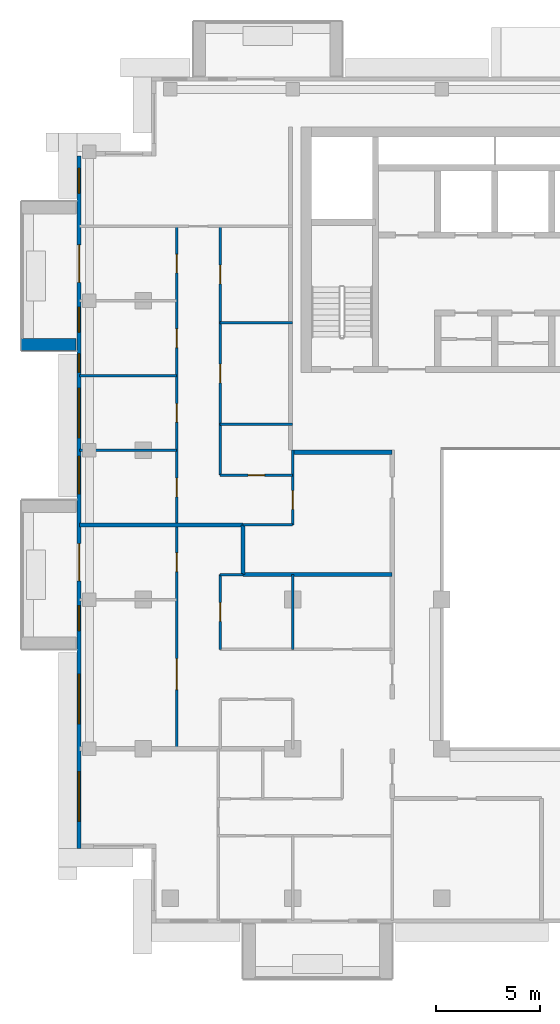
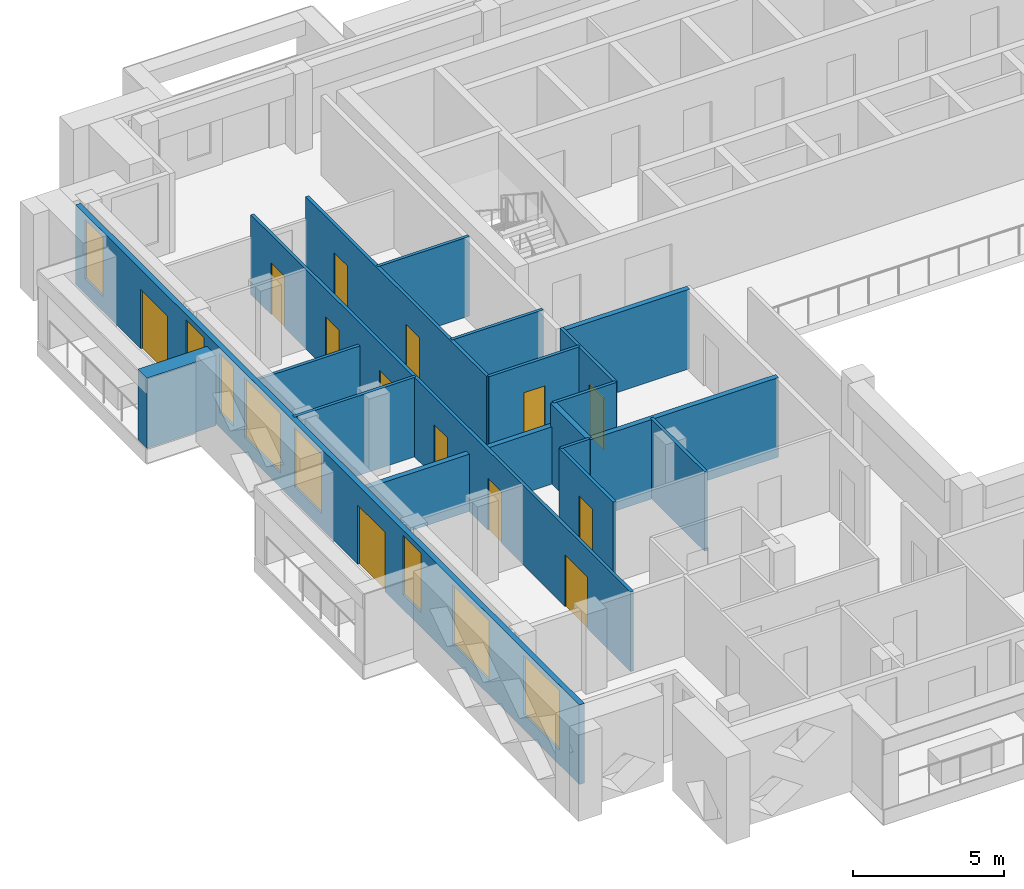
# One storey, part 7 of 19: 18 walls, 13 doors, 8 windows, 21 openings.
"""IFC4 building model written with IfcOpenShell, lengths in metres."""

from ifc_helpers import new_model, si_unit, direction, frame, frame_2d, origin, place, context, subcontext, project, spatial, rectangle, extrude, material, layer, layer_set, type_object, element, fill, save


model = new_model("IFC4")

# Units and contexts
model_context = context("Model", 3, precision=1e-05, world=origin(), true_north=direction((0.0, 1.0)))
body_context = subcontext(model_context, "Body", "Model", "MODEL_VIEW")
ifc_project = project(units=[si_unit("LENGTHUNIT", "METRE"), si_unit("AREAUNIT", "SQUARE_METRE"), si_unit("VOLUMEUNIT", "CUBIC_METRE"), si_unit("PLANEANGLEUNIT", "RADIAN"), si_unit("MASSUNIT", "GRAM", prefix="KILO")], contexts=[model_context])

# Site, building, storey
site_placement = place(None, origin())
site = spatial("IfcSite", under=ifc_project, at=site_placement, CompositionType="ELEMENT")
building_placement = place(site_placement, origin())
building = spatial("IfcBuilding", under=site, at=building_placement, Name="Saffron Iwan Residences", CompositionType="ELEMENT")
storey_placement = place(building_placement, frame((0.0, 0.0, 239.5)))
storey = spatial("IfcBuildingStorey", under=building, at=storey_placement, Name="L64", CompositionType="ELEMENT", Elevation=239.5)

# Wall
ifc_material_1 = material(Name="Concrete C50/60 white painted", Category="concrete")
ifc_layer_1 = layer(ifc_material_1, 0.60009765625)
ifc_layer_set_1 = layer_set([ifc_layer_1], Name="Concrete C50/60 white painted")
wall_type_1 = type_object("IfcWallType", Name="BALCONY FIN 600", PredefinedType="SOLIDWALL", material=ifc_layer_set_1)
wall_1_placement = place(storey_placement, frame((18.35009765625, 67.5, 0.0), z_axis=(0.0, 0.0, 1.0), x_axis=(-1.0, 0.0, 0.0)))
element("IfcWall", 1, at=wall_1_placement, inside=storey, type_object=wall_type_1, Name="Balcony fin L64 F8-0b", PredefinedType="SOLIDWALL", context=body_context, shape_type="SweptSolid", body=[
    extrude(rectangle(XDim=2.650146484375, YDim=0.60009765625, at=frame_2d((1.3251953125, 0.0))), origin(), (0.0, 0.0, 1.0), 2.85009765625),
])

# Wall, openings, doors, windows
ifc_material_2 = material(Name="Concrete C40/50", Category="concrete")
ifc_layer_2 = layer(ifc_material_2, 0.199951171875)
ifc_layer_set_2 = layer_set([ifc_layer_2], Name="Concrete C40/50")
wall_type_2 = type_object("IfcWallType", Name="EXTERNAL WALL 200", PredefinedType="SOLIDWALL", material=ifc_layer_set_2)
wall_2_placement = place(storey_placement, frame((18.5, 76.60009765625, 0.0), z_axis=(0.0, 0.0, 1.0), x_axis=(0.0, -1.0, 0.0)))
wall_2 = element("IfcWall", 2, at=wall_2_placement, inside=storey, type_object=wall_type_2, Name="External wall L64 F8.0", PredefinedType="SOLIDWALL", context=body_context, shape_type="SweptSolid", body=[
    extrude(rectangle(XDim=33.400146484375, YDim=0.199951171875, at=frame_2d((16.7001953125, 0.0))), origin(), (0.0, 0.0, 1.0), 3.219970703125),
])
opening_1_placement = place(wall_2_placement, frame((4.300048828125, 0.0, 0.0)))
opening_1 = element("IfcOpeningElement", 3, at=opening_1_placement, cuts=wall_2, Name="Opening BD1", PredefinedType="OPENING", context=body_context, shape_type="SweptSolid", body=[
    extrude(rectangle(XDim=1.800048828125, YDim=2.39990234375, at=frame_2d((0.89990234375, 1.199951171875))), frame((0.0, 0.10986328125, 0.0), z_axis=(0.0, -1.0, 0.0), x_axis=(1.0, 0.0, 0.0)), (0.0, 0.0, 1.0), 0.219970703125),
])
opening_2_placement = place(wall_2_placement, frame((18.699951171875, 0.0, 0.0)))
opening_2 = element("IfcOpeningElement", 4, at=opening_2_placement, cuts=wall_2, Name="Opening BD1", PredefinedType="OPENING", context=body_context, shape_type="SweptSolid", body=[
    extrude(rectangle(XDim=1.800048828125, YDim=2.39990234375, at=frame_2d((0.89990234375, 1.199951171875))), frame((0.0, 0.10986328125, 0.0), z_axis=(0.0, -1.0, 0.0), x_axis=(1.0, 0.0, 0.0)), (0.0, 0.0, 1.0), 0.219970703125),
])
opening_3_placement = place(wall_2_placement, frame((29.699951171875, 0.0, 0.60009765625)))
opening_3 = element("IfcOpeningElement", 5, at=opening_3_placement, cuts=wall_2, Name="Opening W1", PredefinedType="OPENING", context=body_context, shape_type="SweptSolid", body=[
    extrude(rectangle(XDim=2.39990234375, YDim=2.39990234375, at=frame_2d((1.199951171875, 1.199951171875))), frame((0.0, 0.10986328125, 0.0), z_axis=(0.0, -1.0, 0.0), x_axis=(1.0, 0.0, 0.0)), (0.0, 0.0, 1.0), 0.219970703125),
])
opening_4_placement = place(wall_2_placement, frame((21.699951171875, 0.0, 0.60009765625)))
opening_4 = element("IfcOpeningElement", 6, at=opening_4_placement, cuts=wall_2, Name="Opening W3", PredefinedType="OPENING", context=body_context, shape_type="SweptSolid", body=[
    extrude(rectangle(XDim=1.199951171875, YDim=2.39990234375, at=frame_2d((0.60009765625, 1.199951171875))), frame((0.0, 0.10986328125, 0.0), z_axis=(0.0, -1.0, 0.0), x_axis=(1.0, 0.0, 0.0)), (0.0, 0.0, 1.0), 0.219970703125),
])
opening_5_placement = place(wall_2_placement, frame((25.0, 0.0, 0.60009765625)))
opening_5 = element("IfcOpeningElement", 7, at=opening_5_placement, cuts=wall_2, Name="Opening W1", PredefinedType="OPENING", context=body_context, shape_type="SweptSolid", body=[
    extrude(rectangle(XDim=2.39990234375, YDim=2.39990234375, at=frame_2d((1.199951171875, 1.199951171875))), frame((0.0, 0.10986328125, 0.0), z_axis=(0.0, -1.0, 0.0), x_axis=(1.0, 0.0, 0.0)), (0.0, 0.0, 1.0), 0.219970703125),
])
opening_6_placement = place(wall_2_placement, frame((14.5, 0.0, 0.60009765625)))
opening_6 = element("IfcOpeningElement", 8, at=opening_6_placement, cuts=wall_2, Name="Opening W8", PredefinedType="OPENING", context=body_context, shape_type="SweptSolid", body=[
    extrude(rectangle(XDim=1.800048828125, YDim=2.39990234375, at=frame_2d((0.89990234375, 1.199951171875))), frame((0.0, 0.10986328125, 0.0), z_axis=(0.0, -1.0, 0.0), x_axis=(1.0, 0.0, 0.0)), (0.0, 0.0, 1.0), 0.219970703125),
])
opening_7_placement = place(wall_2_placement, frame((11.199951171875, 0.0, 0.60009765625)))
opening_7 = element("IfcOpeningElement", 9, at=opening_7_placement, cuts=wall_2, Name="Opening W1", PredefinedType="OPENING", context=body_context, shape_type="SweptSolid", body=[
    extrude(rectangle(XDim=2.39990234375, YDim=2.39990234375, at=frame_2d((1.199951171875, 1.199951171875))), frame((0.0, 0.10986328125, 0.0), z_axis=(0.0, -1.0, 0.0), x_axis=(1.0, 0.0, 0.0)), (0.0, 0.0, 1.0), 0.219970703125),
])
opening_8_placement = place(wall_2_placement, frame((7.300048828125, 0.0, 0.60009765625)))
opening_8 = element("IfcOpeningElement", 10, at=opening_8_placement, cuts=wall_2, Name="Opening W3", PredefinedType="OPENING", context=body_context, shape_type="SweptSolid", body=[
    extrude(rectangle(XDim=1.199951171875, YDim=2.39990234375, at=frame_2d((0.60009765625, 1.199951171875))), frame((0.0, 0.10986328125, 0.0), z_axis=(0.0, -1.0, 0.0), x_axis=(1.0, 0.0, 0.0)), (0.0, 0.0, 1.0), 0.219970703125),
])
opening_9_placement = place(wall_2_placement, frame((9.550048828125, 0.0, 0.60009765625)))
opening_9 = element("IfcOpeningElement", 11, at=opening_9_placement, cuts=wall_2, Name="Opening W10", PredefinedType="OPENING", context=body_context, shape_type="SweptSolid", body=[
    extrude(rectangle(XDim=0.89990234375, YDim=2.39990234375, at=frame_2d((0.449951171875, 1.199951171875))), frame((0.0, 0.10986328125, 0.0), z_axis=(0.0, -1.0, 0.0), x_axis=(1.0, 0.0, 0.0)), (0.0, 0.0, 1.0), 0.219970703125),
])
opening_10_placement = place(wall_2_placement, frame((0.60009765625, 0.0, 0.60009765625)))
opening_10 = element("IfcOpeningElement", 12, at=opening_10_placement, cuts=wall_2, Name="Opening W3", PredefinedType="OPENING", context=body_context, shape_type="SweptSolid", body=[
    extrude(rectangle(XDim=1.199951171875, YDim=2.39990234375, at=frame_2d((0.60009765625, 1.199951171875))), frame((0.0, 0.10986328125, 0.0), z_axis=(0.0, -1.0, 0.0), x_axis=(1.0, 0.0, 0.0)), (0.0, 0.0, 1.0), 0.219970703125),
])
ifc_material_3 = material(Name="Clear glass, laminated double glazed", Category="glass")
door_type_1 = type_object("IfcDoorType", Name="BALCONY DOOR 1800 x 2400", OperationType="DOUBLE_DOOR_SLIDING", PredefinedType="DOOR", material=ifc_material_3)
door_1_placement = place(opening_1_placement, origin())
door_1 = element("IfcDoor", 13, at=door_1_placement, inside=storey, type_object=door_type_1, Name="Balcony door L64 F8.0", OperationType="DOUBLE_DOOR_SLIDING", OverallHeight=2.39990234375, OverallWidth=1.800048828125, PredefinedType="DOOR", context=body_context, shape_type="SweptSolid", body=[
    extrude(rectangle(XDim=1.800048828125, YDim=2.39990234375, at=frame_2d((0.89990234375, 1.199951171875))), frame((0.0, 0.02490234375, 0.0), z_axis=(0.0, -1.0, 0.0), x_axis=(1.0, 0.0, 0.0)), (0.0, 0.0, 1.0), 0.050048828125),
])
fill(opening_1, door_1)
door_2_placement = place(opening_2_placement, origin())
door_2 = element("IfcDoor", 14, at=door_2_placement, inside=storey, type_object=door_type_1, Name="Balcony door L64 F8.1", OperationType="DOUBLE_DOOR_SLIDING", OverallHeight=2.39990234375, OverallWidth=1.800048828125, PredefinedType="DOOR", context=body_context, shape_type="SweptSolid", body=[
    extrude(rectangle(XDim=1.800048828125, YDim=2.39990234375, at=frame_2d((0.89990234375, 1.199951171875))), frame((0.0, 0.02490234375, 0.0), z_axis=(0.0, -1.0, 0.0), x_axis=(1.0, 0.0, 0.0)), (0.0, 0.0, 1.0), 0.050048828125),
])
fill(opening_2, door_2)
window_type_1 = type_object("IfcWindowType", Name="WINDOW 1200 x 2400", PartitioningType="SINGLE_PANEL", PredefinedType="WINDOW", material=ifc_material_3)
window_1_placement = place(opening_4_placement, origin())
window_1 = element("IfcWindow", 15, at=window_1_placement, inside=storey, type_object=window_type_1, Name="Window L64 F8.3", OverallHeight=2.39990234375, OverallWidth=1.199951171875, PartitioningType="SINGLE_PANEL", PredefinedType="WINDOW", context=body_context, shape_type="SweptSolid", body=[
    extrude(rectangle(XDim=1.199951171875, YDim=2.39990234375, at=frame_2d((0.60009765625, 1.199951171875))), frame((0.0, 0.030029296875, 0.0), z_axis=(0.0, -1.0, 0.0), x_axis=(1.0, 0.0, 0.0)), (0.0, 0.0, 1.0), 0.06005859375),
])
fill(opening_4, window_1)
window_2_placement = place(opening_8_placement, origin())
window_2 = element("IfcWindow", 16, at=window_2_placement, inside=storey, type_object=window_type_1, Name="Window L64 F8.7", OverallHeight=2.39990234375, OverallWidth=1.199951171875, PartitioningType="SINGLE_PANEL", PredefinedType="WINDOW", context=body_context, shape_type="SweptSolid", body=[
    extrude(rectangle(XDim=1.199951171875, YDim=2.39990234375, at=frame_2d((0.60009765625, 1.199951171875))), frame((0.0, 0.030029296875, 0.0), z_axis=(0.0, -1.0, 0.0), x_axis=(1.0, 0.0, 0.0)), (0.0, 0.0, 1.0), 0.06005859375),
])
fill(opening_8, window_2)
window_3_placement = place(opening_10_placement, origin())
window_3 = element("IfcWindow", 17, at=window_3_placement, inside=storey, type_object=window_type_1, Name="Window L64 F8.9", OverallHeight=2.39990234375, OverallWidth=1.199951171875, PartitioningType="SINGLE_PANEL", PredefinedType="WINDOW", context=body_context, shape_type="SweptSolid", body=[
    extrude(rectangle(XDim=1.199951171875, YDim=2.39990234375, at=frame_2d((0.60009765625, 1.199951171875))), frame((0.0, 0.030029296875, 0.0), z_axis=(0.0, -1.0, 0.0), x_axis=(1.0, 0.0, 0.0)), (0.0, 0.0, 1.0), 0.06005859375),
])
fill(opening_10, window_3)
window_type_2 = type_object("IfcWindowType", Name="WINDOW 1800 x 2400", PartitioningType="DOUBLE_PANEL_VERTICAL", PredefinedType="WINDOW", material=ifc_material_3)
window_4_placement = place(opening_6_placement, origin())
window_4 = element("IfcWindow", 18, at=window_4_placement, inside=storey, type_object=window_type_2, Name="Window L64 F8.5", OverallHeight=2.39990234375, OverallWidth=1.800048828125, PartitioningType="DOUBLE_PANEL_VERTICAL", PredefinedType="WINDOW", context=body_context, shape_type="SweptSolid", body=[
    extrude(rectangle(XDim=1.800048828125, YDim=2.39990234375, at=frame_2d((0.89990234375, 1.199951171875))), frame((0.0, 0.030029296875, 0.0), z_axis=(0.0, -1.0, 0.0), x_axis=(1.0, 0.0, 0.0)), (0.0, 0.0, 1.0), 0.06005859375),
])
fill(opening_6, window_4)
window_type_3 = type_object("IfcWindowType", Name="WINDOW 2400 x 2400", PartitioningType="DOUBLE_PANEL_VERTICAL", PredefinedType="WINDOW", material=ifc_material_3)
window_5_placement = place(opening_3_placement, origin())
window_5 = element("IfcWindow", 19, at=window_5_placement, inside=storey, type_object=window_type_3, Name="Window L64 F8.2", OverallHeight=2.39990234375, OverallWidth=2.39990234375, PartitioningType="DOUBLE_PANEL_VERTICAL", PredefinedType="WINDOW", context=body_context, shape_type="SweptSolid", body=[
    extrude(rectangle(XDim=2.39990234375, YDim=2.39990234375, at=frame_2d((1.199951171875, 1.199951171875))), frame((0.0, 0.030029296875, 0.0), z_axis=(0.0, -1.0, 0.0), x_axis=(1.0, 0.0, 0.0)), (0.0, 0.0, 1.0), 0.06005859375),
])
fill(opening_3, window_5)
window_6_placement = place(opening_5_placement, origin())
window_6 = element("IfcWindow", 20, at=window_6_placement, inside=storey, type_object=window_type_3, Name="Window L64 F8.4", OverallHeight=2.39990234375, OverallWidth=2.39990234375, PartitioningType="DOUBLE_PANEL_VERTICAL", PredefinedType="WINDOW", context=body_context, shape_type="SweptSolid", body=[
    extrude(rectangle(XDim=2.39990234375, YDim=2.39990234375, at=frame_2d((1.199951171875, 1.199951171875))), frame((0.0, 0.030029296875, 0.0), z_axis=(0.0, -1.0, 0.0), x_axis=(1.0, 0.0, 0.0)), (0.0, 0.0, 1.0), 0.06005859375),
])
fill(opening_5, window_6)
window_7_placement = place(opening_7_placement, origin())
window_7 = element("IfcWindow", 21, at=window_7_placement, inside=storey, type_object=window_type_3, Name="Window L64 F8.6", OverallHeight=2.39990234375, OverallWidth=2.39990234375, PartitioningType="DOUBLE_PANEL_VERTICAL", PredefinedType="WINDOW", context=body_context, shape_type="SweptSolid", body=[
    extrude(rectangle(XDim=2.39990234375, YDim=2.39990234375, at=frame_2d((1.199951171875, 1.199951171875))), frame((0.0, 0.030029296875, 0.0), z_axis=(0.0, -1.0, 0.0), x_axis=(1.0, 0.0, 0.0)), (0.0, 0.0, 1.0), 0.06005859375),
])
fill(opening_7, window_7)
window_type_4 = type_object("IfcWindowType", Name="WINDOW 900 x 2400", PartitioningType="SINGLE_PANEL", PredefinedType="WINDOW", material=ifc_material_3)
window_8_placement = place(opening_9_placement, origin())
window_8 = element("IfcWindow", 22, at=window_8_placement, inside=storey, type_object=window_type_4, Name="Window L64 F8.8", OverallHeight=2.39990234375, OverallWidth=0.89990234375, PartitioningType="SINGLE_PANEL", PredefinedType="WINDOW", context=body_context, shape_type="SweptSolid", body=[
    extrude(rectangle(XDim=0.89990234375, YDim=2.39990234375, at=frame_2d((0.449951171875, 1.199951171875))), frame((0.0, 0.030029296875, 0.0), z_axis=(0.0, -1.0, 0.0), x_axis=(1.0, 0.0, 0.0)), (0.0, 0.0, 1.0), 0.06005859375),
])
fill(opening_9, window_8)

# Walls
ifc_material_4 = material(Name="Fire-rated gypsum board wall")
ifc_layer_3 = layer(ifc_material_4, 0.199951171875)
ifc_layer_set_3 = layer_set([ifc_layer_3], Name="Fire-rated gypsum board wall")
wall_type_3 = type_object("IfcWallType", Name="Flat demising wall 200", PredefinedType="SOLIDWALL", material=ifc_layer_set_3)
wall_3_placement = place(storey_placement, frame((26.39990234375, 56.39990234375, 0.0), z_axis=(0.0, 0.0, 1.0), x_axis=(1.0, 0.0, 0.0)))
element("IfcWall", 23, at=wall_3_placement, inside=storey, type_object=wall_type_3, Name="W-L64-DEMISE-h56.4-26.4", PredefinedType="SOLIDWALL", context=body_context, shape_type="SweptSolid", body=[
    extrude(rectangle(XDim=7.2001953125, YDim=0.199951171875, at=frame_2d((3.60009765625, 0.0))), origin(), (0.0, 0.0, 1.0), 3.219970703125),
])
wall_4_placement = place(storey_placement, frame((18.52490234375, 58.800048828125, 0.0), z_axis=(0.0, 0.0, 1.0), x_axis=(1.0, 0.0, 0.0)))
element("IfcWall", 24, at=wall_4_placement, inside=storey, type_object=wall_type_3, Name="W-L64-DEMISE-h58.8-18.525", PredefinedType="SOLIDWALL", context=body_context, shape_type="SweptSolid", body=[
    extrude(rectangle(XDim=7.875, YDim=0.199951171875, at=frame_2d((3.9375, 0.0))), origin(), (0.0, 0.0, 1.0), 2.320068359375),
])
wall_5_placement = place(storey_placement, frame((26.39990234375, 56.39990234375, 0.0), z_axis=(0.0, 0.0, 1.0), x_axis=(0.0, 1.0, 0.0)))
element("IfcWall", 25, at=wall_5_placement, inside=storey, type_object=wall_type_3, Name="W-L64-DEMISE-v26.4-56.4", PredefinedType="SOLIDWALL", context=body_context, shape_type="SweptSolid", body=[
    extrude(rectangle(XDim=2.400146484375, YDim=0.199951171875, at=frame_2d((1.2001953125, 0.0))), origin(), (0.0, 0.0, 1.0), 3.219970703125),
])
ifc_material_5 = material(Name="Gypsum board partition")
ifc_layer_4 = layer(ifc_material_5, 0.1201171875)
ifc_layer_set_4 = layer_set([ifc_layer_4], Name="Gypsum board partition")
wall_type_4 = type_object("IfcWallType", Name="Flat partition 120", PredefinedType="PARTITIONING", material=ifc_layer_set_4)
wall_6_placement = place(storey_placement, frame((25.300048828125, 56.39990234375, 0.0), z_axis=(0.0, 0.0, 1.0), x_axis=(1.0, 0.0, 0.0)))
element("IfcWall", 26, at=wall_6_placement, inside=storey, type_object=wall_type_4, Name="W-L64-PART-h56.4-25.3", PredefinedType="PARTITIONING", context=body_context, shape_type="SweptSolid", body=[
    extrude(rectangle(XDim=1.099853515625, YDim=0.1201171875, at=frame_2d((0.5498046875, 0.0))), origin(), (0.0, 0.0, 1.0), 3.219970703125),
])
wall_7_placement = place(storey_placement, frame((26.39990234375, 58.800048828125, 0.0), z_axis=(0.0, 0.0, 1.0), x_axis=(1.0, 0.0, 0.0)))
element("IfcWall", 27, at=wall_7_placement, inside=storey, type_object=wall_type_4, Name="W-L64-PART-h58.8-26.4", PredefinedType="PARTITIONING", context=body_context, shape_type="SweptSolid", body=[
    extrude(rectangle(XDim=2.400146484375, YDim=0.1201171875, at=frame_2d((1.2001953125, 0.0))), origin(), (0.0, 0.0, 1.0), 3.219970703125),
])

# Wall, opening, door
wall_8_placement = place(storey_placement, frame((25.300048828125, 61.199951171875, 0.0), z_axis=(0.0, 0.0, 1.0), x_axis=(1.0, 0.0, 0.0)))
wall_8 = element("IfcWall", 28, at=wall_8_placement, inside=storey, type_object=wall_type_4, Name="W-L64-PART-h61.2-25.3", PredefinedType="PARTITIONING", context=body_context, shape_type="SweptSolid", body=[
    extrude(rectangle(XDim=3.5, YDim=0.1201171875, at=frame_2d((1.75, 0.0))), origin(), (0.0, 0.0, 1.0), 3.219970703125),
])
opening_11_placement = place(wall_8_placement, frame((1.35009765625, 0.0, 0.0)))
opening_11 = element("IfcOpeningElement", 29, at=opening_11_placement, cuts=wall_8, Name="Opening FD3", PredefinedType="OPENING", context=body_context, shape_type="SweptSolid", body=[
    extrude(rectangle(XDim=0.800048828125, YDim=2.10009765625, at=frame_2d((0.39990234375, 1.050048828125))), frame((0.0, 0.070068359375, 0.0), z_axis=(0.0, -1.0, 0.0), x_axis=(1.0, 0.0, 0.0)), (0.0, 0.0, 1.0), 0.14013671875),
])
ifc_material_6 = material(Name="Timber door", Category="wood")
door_type_2 = type_object("IfcDoorType", Name="Bathroom door 800", OperationType="NOTDEFINED", PredefinedType="DOOR", material=ifc_material_6)
door_3_placement = place(opening_11_placement, origin())
door_3 = element("IfcDoor", 30, at=door_3_placement, inside=storey, type_object=door_type_2, Name="Door L64-030", OperationType="SINGLE_SWING_RIGHT", OverallHeight=2.10009765625, OverallWidth=0.800048828125, PredefinedType="DOOR", context=body_context, shape_type="SweptSolid", body=[
    extrude(rectangle(XDim=0.800048828125, YDim=2.10009765625, at=frame_2d((0.39990234375, 1.050048828125))), frame((0.0, 0.02490234375, 0.0), z_axis=(0.0, -1.0, 0.0), x_axis=(1.0, 0.0, 0.0)), (0.0, 0.0, 1.0), 0.050048828125),
])
fill(opening_11, door_3)

# Walls
wall_9_placement = place(storey_placement, frame((18.52490234375, 62.39990234375, 0.0), z_axis=(0.0, 0.0, 1.0), x_axis=(1.0, 0.0, 0.0)))
element("IfcWall", 31, at=wall_9_placement, inside=storey, type_object=wall_type_4, Name="W-L64-PART-h62.4-18.525", PredefinedType="PARTITIONING", context=body_context, shape_type="SweptSolid", body=[
    extrude(rectangle(XDim=4.675048828125, YDim=0.1201171875, at=frame_2d((2.33740234375, 0.0))), origin(), (0.0, 0.0, 1.0), 3.219970703125),
])
wall_10_placement = place(storey_placement, frame((25.300048828125, 63.64990234375, 0.0), z_axis=(0.0, 0.0, 1.0), x_axis=(1.0, 0.0, 0.0)))
element("IfcWall", 32, at=wall_10_placement, inside=storey, type_object=wall_type_4, Name="W-L64-PART-h63.65-25.3", PredefinedType="PARTITIONING", context=body_context, shape_type="SweptSolid", body=[
    extrude(rectangle(XDim=3.5, YDim=0.1201171875, at=frame_2d((1.75, 0.0))), origin(), (0.0, 0.0, 1.0), 3.219970703125),
])
wall_11_placement = place(storey_placement, frame((18.52490234375, 66.0, 0.0), z_axis=(0.0, 0.0, 1.0), x_axis=(1.0, 0.0, 0.0)))
element("IfcWall", 33, at=wall_11_placement, inside=storey, type_object=wall_type_4, Name="W-L64-PART-h66-18.525", PredefinedType="PARTITIONING", context=body_context, shape_type="SweptSolid", body=[
    extrude(rectangle(XDim=4.675048828125, YDim=0.1201171875, at=frame_2d((2.33740234375, 0.0))), origin(), (0.0, 0.0, 1.0), 2.320068359375),
])
wall_12_placement = place(storey_placement, frame((25.300048828125, 68.550048828125, 0.0), z_axis=(0.0, 0.0, 1.0), x_axis=(1.0, 0.0, 0.0)))
element("IfcWall", 34, at=wall_12_placement, inside=storey, type_object=wall_type_4, Name="W-L64-PART-h68.55-25.3", PredefinedType="PARTITIONING", context=body_context, shape_type="SweptSolid", body=[
    extrude(rectangle(XDim=3.5, YDim=0.1201171875, at=frame_2d((1.75, 0.0))), origin(), (0.0, 0.0, 1.0), 3.219970703125),
])

# Wall, openings, doors
wall_13_placement = place(storey_placement, frame((23.199951171875, 48.0, 0.0), z_axis=(0.0, 0.0, 1.0), x_axis=(0.0, 1.0, 0.0)))
wall_13 = element("IfcWall", 35, at=wall_13_placement, inside=storey, type_object=wall_type_4, Name="W-L64-PART-v23.2-48", PredefinedType="PARTITIONING", context=body_context, shape_type="SweptSolid", body=[
    extrude(rectangle(XDim=25.199951171875, YDim=0.1201171875, at=frame_2d((12.60009765625, 0.0))), origin(), (0.0, 0.0, 1.0), 3.219970703125),
])
opening_12_placement = place(wall_13_placement, frame((2.85009765625, 0.0, 0.0)))
opening_12 = element("IfcOpeningElement", 36, at=opening_12_placement, cuts=wall_13, Name="Opening FD4", PredefinedType="OPENING", context=body_context, shape_type="SweptSolid", body=[
    extrude(rectangle(XDim=1.5, YDim=2.10009765625, at=frame_2d((0.75, 1.050048828125))), frame((0.0, 0.070068359375, 0.0), z_axis=(0.0, -1.0, 0.0), x_axis=(1.0, 0.0, 0.0)), (0.0, 0.0, 1.0), 0.14013671875),
])
opening_13_placement = place(wall_13_placement, frame((8.550048828125, 0.0, 0.0)))
opening_13 = element("IfcOpeningElement", 37, at=opening_13_placement, cuts=wall_13, Name="Opening FD2", PredefinedType="OPENING", context=body_context, shape_type="SweptSolid", body=[
    extrude(rectangle(XDim=0.89990234375, YDim=2.10009765625, at=frame_2d((0.449951171875, 1.050048828125))), frame((0.0, 0.070068359375, 0.0), z_axis=(0.0, -1.0, 0.0), x_axis=(1.0, 0.0, 0.0)), (0.0, 0.0, 1.0), 0.14013671875),
])
opening_14_placement = place(wall_13_placement, frame((12.14990234375, 0.0, 0.0)))
opening_14 = element("IfcOpeningElement", 38, at=opening_14_placement, cuts=wall_13, Name="Opening FD2", PredefinedType="OPENING", context=body_context, shape_type="SweptSolid", body=[
    extrude(rectangle(XDim=0.89990234375, YDim=2.10009765625, at=frame_2d((0.449951171875, 1.050048828125))), frame((0.0, 0.070068359375, 0.0), z_axis=(0.0, -1.0, 0.0), x_axis=(1.0, 0.0, 0.0)), (0.0, 0.0, 1.0), 0.14013671875),
])
opening_15_placement = place(wall_13_placement, frame((15.75, 0.0, 0.0)))
opening_15 = element("IfcOpeningElement", 39, at=opening_15_placement, cuts=wall_13, Name="Opening FD2", PredefinedType="OPENING", context=body_context, shape_type="SweptSolid", body=[
    extrude(rectangle(XDim=0.89990234375, YDim=2.10009765625, at=frame_2d((0.449951171875, 1.050048828125))), frame((0.0, 0.070068359375, 0.0), z_axis=(0.0, -1.0, 0.0), x_axis=(1.0, 0.0, 0.0)), (0.0, 0.0, 1.0), 0.14013671875),
])
opening_16_placement = place(wall_13_placement, frame((19.35009765625, 0.0, 0.0)))
opening_16 = element("IfcOpeningElement", 40, at=opening_16_placement, cuts=wall_13, Name="Opening FD2", PredefinedType="OPENING", context=body_context, shape_type="SweptSolid", body=[
    extrude(rectangle(XDim=0.89990234375, YDim=2.10009765625, at=frame_2d((0.449951171875, 1.050048828125))), frame((0.0, 0.070068359375, 0.0), z_axis=(0.0, -1.0, 0.0), x_axis=(1.0, 0.0, 0.0)), (0.0, 0.0, 1.0), 0.14013671875),
])
opening_17_placement = place(wall_13_placement, frame((22.949951171875, 0.0, 0.0)))
opening_17 = element("IfcOpeningElement", 41, at=opening_17_placement, cuts=wall_13, Name="Opening FD2", PredefinedType="OPENING", context=body_context, shape_type="SweptSolid", body=[
    extrude(rectangle(XDim=0.89990234375, YDim=2.10009765625, at=frame_2d((0.449951171875, 1.050048828125))), frame((0.0, 0.070068359375, 0.0), z_axis=(0.0, -1.0, 0.0), x_axis=(1.0, 0.0, 0.0)), (0.0, 0.0, 1.0), 0.14013671875),
])
door_type_3 = type_object("IfcDoorType", Name="Double door 1500", OperationType="NOTDEFINED", PredefinedType="DOOR", material=ifc_material_6)
door_4_placement = place(opening_12_placement, origin())
door_4 = element("IfcDoor", 42, at=door_4_placement, inside=storey, type_object=door_type_3, Name="Door L64-009", OperationType="SINGLE_SWING_RIGHT", OverallHeight=2.10009765625, OverallWidth=1.5, PredefinedType="DOOR", context=body_context, shape_type="SweptSolid", body=[
    extrude(rectangle(XDim=1.5, YDim=2.10009765625, at=frame_2d((0.75, 1.050048828125))), frame((0.0, 0.02490234375, 0.0), z_axis=(0.0, -1.0, 0.0), x_axis=(1.0, 0.0, 0.0)), (0.0, 0.0, 1.0), 0.050048828125),
])
fill(opening_12, door_4)
door_type_4 = type_object("IfcDoorType", Name="Flat door 900", OperationType="NOTDEFINED", PredefinedType="DOOR", material=ifc_material_6)
door_5_placement = place(opening_13_placement, origin())
door_5 = element("IfcDoor", 43, at=door_5_placement, inside=storey, type_object=door_type_4, Name="Door L64-010", OperationType="SINGLE_SWING_LEFT", OverallHeight=2.10009765625, OverallWidth=0.89990234375, PredefinedType="DOOR", context=body_context, shape_type="SweptSolid", body=[
    extrude(rectangle(XDim=0.89990234375, YDim=2.10009765625, at=frame_2d((0.449951171875, 1.050048828125))), frame((0.0, 0.02490234375, 0.0), z_axis=(0.0, -1.0, 0.0), x_axis=(1.0, 0.0, 0.0)), (0.0, 0.0, 1.0), 0.050048828125),
])
fill(opening_13, door_5)
door_6_placement = place(opening_14_placement, origin())
door_6 = element("IfcDoor", 44, at=door_6_placement, inside=storey, type_object=door_type_4, Name="Door L64-025", OperationType="SINGLE_SWING_LEFT", OverallHeight=2.10009765625, OverallWidth=0.89990234375, PredefinedType="DOOR", context=body_context, shape_type="SweptSolid", body=[
    extrude(rectangle(XDim=0.89990234375, YDim=2.10009765625, at=frame_2d((0.449951171875, 1.050048828125))), frame((0.0, 0.02490234375, 0.0), z_axis=(0.0, -1.0, 0.0), x_axis=(1.0, 0.0, 0.0)), (0.0, 0.0, 1.0), 0.050048828125),
])
fill(opening_14, door_6)
door_7_placement = place(opening_15_placement, origin())
door_7 = element("IfcDoor", 45, at=door_7_placement, inside=storey, type_object=door_type_4, Name="Door L64-026", OperationType="SINGLE_SWING_LEFT", OverallHeight=2.10009765625, OverallWidth=0.89990234375, PredefinedType="DOOR", context=body_context, shape_type="SweptSolid", body=[
    extrude(rectangle(XDim=0.89990234375, YDim=2.10009765625, at=frame_2d((0.449951171875, 1.050048828125))), frame((0.0, 0.02490234375, 0.0), z_axis=(0.0, -1.0, 0.0), x_axis=(1.0, 0.0, 0.0)), (0.0, 0.0, 1.0), 0.050048828125),
])
fill(opening_15, door_7)
door_8_placement = place(opening_16_placement, origin())
door_8 = element("IfcDoor", 46, at=door_8_placement, inside=storey, type_object=door_type_4, Name="Door L64-027", OperationType="SINGLE_SWING_RIGHT", OverallHeight=2.10009765625, OverallWidth=0.89990234375, PredefinedType="DOOR", context=body_context, shape_type="SweptSolid", body=[
    extrude(rectangle(XDim=0.89990234375, YDim=2.10009765625, at=frame_2d((0.449951171875, 1.050048828125))), frame((0.0, 0.02490234375, 0.0), z_axis=(0.0, -1.0, 0.0), x_axis=(1.0, 0.0, 0.0)), (0.0, 0.0, 1.0), 0.050048828125),
])
fill(opening_16, door_8)
door_9_placement = place(opening_17_placement, origin())
door_9 = element("IfcDoor", 47, at=door_9_placement, inside=storey, type_object=door_type_4, Name="Door L64-028", OperationType="SINGLE_SWING_LEFT", OverallHeight=2.10009765625, OverallWidth=0.89990234375, PredefinedType="DOOR", context=body_context, shape_type="SweptSolid", body=[
    extrude(rectangle(XDim=0.89990234375, YDim=2.10009765625, at=frame_2d((0.449951171875, 1.050048828125))), frame((0.0, 0.02490234375, 0.0), z_axis=(0.0, -1.0, 0.0), x_axis=(1.0, 0.0, 0.0)), (0.0, 0.0, 1.0), 0.050048828125),
])
fill(opening_17, door_9)

# Wall, opening, door
wall_14_placement = place(storey_placement, frame((25.300048828125, 52.800048828125, 0.0), z_axis=(0.0, 0.0, 1.0), x_axis=(0.0, 1.0, 0.0)))
wall_14 = element("IfcWall", 48, at=wall_14_placement, inside=storey, type_object=wall_type_4, Name="W-L64-PART-v25.3-52.8", PredefinedType="PARTITIONING", context=body_context, shape_type="SweptSolid", body=[
    extrude(rectangle(XDim=3.599853515625, YDim=0.1201171875, at=frame_2d((1.7998046875, 0.0))), origin(), (0.0, 0.0, 1.0), 3.219970703125),
])
opening_18_placement = place(wall_14_placement, frame((1.35009765625, 0.0, 0.0)))
opening_18 = element("IfcOpeningElement", 49, at=opening_18_placement, cuts=wall_14, Name="Opening FD2", PredefinedType="OPENING", context=body_context, shape_type="SweptSolid", body=[
    extrude(rectangle(XDim=0.89990234375, YDim=2.10009765625, at=frame_2d((0.449951171875, 1.050048828125))), frame((0.0, 0.070068359375, 0.0), z_axis=(0.0, -1.0, 0.0), x_axis=(1.0, 0.0, 0.0)), (0.0, 0.0, 1.0), 0.14013671875),
])
door_10_placement = place(opening_18_placement, origin())
door_10 = element("IfcDoor", 50, at=door_10_placement, inside=storey, type_object=door_type_4, Name="Door L64-012", OperationType="SINGLE_SWING_RIGHT", OverallHeight=2.10009765625, OverallWidth=0.89990234375, PredefinedType="DOOR", context=body_context, shape_type="SweptSolid", body=[
    extrude(rectangle(XDim=0.89990234375, YDim=2.10009765625, at=frame_2d((0.449951171875, 1.050048828125))), frame((0.0, 0.02490234375, 0.0), z_axis=(0.0, -1.0, 0.0), x_axis=(1.0, 0.0, 0.0)), (0.0, 0.0, 1.0), 0.050048828125),
])
fill(opening_18, door_10)

# Wall, openings, doors
wall_15_placement = place(storey_placement, frame((25.300048828125, 61.199951171875, 0.0), z_axis=(0.0, 0.0, 1.0), x_axis=(0.0, 1.0, 0.0)))
wall_15 = element("IfcWall", 51, at=wall_15_placement, inside=storey, type_object=wall_type_4, Name="W-L64-PART-v25.3-61.2", PredefinedType="PARTITIONING", context=body_context, shape_type="SweptSolid", body=[
    extrude(rectangle(XDim=12.0, YDim=0.1201171875, at=frame_2d((6.0, 0.0))), origin(), (0.0, 0.0, 1.0), 3.219970703125),
])
opening_19_placement = place(wall_15_placement, frame((4.449951171875, 0.0, 0.0)))
opening_19 = element("IfcOpeningElement", 52, at=opening_19_placement, cuts=wall_15, Name="Opening FD2", PredefinedType="OPENING", context=body_context, shape_type="SweptSolid", body=[
    extrude(rectangle(XDim=0.89990234375, YDim=2.10009765625, at=frame_2d((0.449951171875, 1.050048828125))), frame((0.0, 0.070068359375, 0.0), z_axis=(0.0, -1.0, 0.0), x_axis=(1.0, 0.0, 0.0)), (0.0, 0.0, 1.0), 0.14013671875),
])
opening_20_placement = place(wall_15_placement, frame((9.22509765625, 0.0, 0.0)))
opening_20 = element("IfcOpeningElement", 53, at=opening_20_placement, cuts=wall_15, Name="Opening FD2", PredefinedType="OPENING", context=body_context, shape_type="SweptSolid", body=[
    extrude(rectangle(XDim=0.89990234375, YDim=2.10009765625, at=frame_2d((0.449951171875, 1.050048828125))), frame((0.0, 0.070068359375, 0.0), z_axis=(0.0, -1.0, 0.0), x_axis=(1.0, 0.0, 0.0)), (0.0, 0.0, 1.0), 0.14013671875),
])
door_11_placement = place(opening_19_placement, origin())
door_11 = element("IfcDoor", 54, at=door_11_placement, inside=storey, type_object=door_type_4, Name="Door L64-031", OperationType="SINGLE_SWING_LEFT", OverallHeight=2.10009765625, OverallWidth=0.89990234375, PredefinedType="DOOR", context=body_context, shape_type="SweptSolid", body=[
    extrude(rectangle(XDim=0.89990234375, YDim=2.10009765625, at=frame_2d((0.449951171875, 1.050048828125))), frame((0.0, 0.02490234375, 0.0), z_axis=(0.0, -1.0, 0.0), x_axis=(1.0, 0.0, 0.0)), (0.0, 0.0, 1.0), 0.050048828125),
])
fill(opening_19, door_11)
door_12_placement = place(opening_20_placement, origin())
door_12 = element("IfcDoor", 55, at=door_12_placement, inside=storey, type_object=door_type_4, Name="Door L64-032", OperationType="SINGLE_SWING_LEFT", OverallHeight=2.10009765625, OverallWidth=0.89990234375, PredefinedType="DOOR", context=body_context, shape_type="SweptSolid", body=[
    extrude(rectangle(XDim=0.89990234375, YDim=2.10009765625, at=frame_2d((0.449951171875, 1.050048828125))), frame((0.0, 0.02490234375, 0.0), z_axis=(0.0, -1.0, 0.0), x_axis=(1.0, 0.0, 0.0)), (0.0, 0.0, 1.0), 0.050048828125),
])
fill(opening_20, door_12)

# Wall
wall_16_placement = place(storey_placement, frame((28.800048828125, 52.800048828125, 0.0), z_axis=(0.0, 0.0, 1.0), x_axis=(0.0, 1.0, 0.0)))
element("IfcWall", 56, at=wall_16_placement, inside=storey, type_object=wall_type_4, Name="W-L64-PART-v28.8-52.8", PredefinedType="PARTITIONING", context=body_context, shape_type="SweptSolid", body=[
    extrude(rectangle(XDim=3.599853515625, YDim=0.1201171875, at=frame_2d((1.7998046875, 0.0))), origin(), (0.0, 0.0, 1.0), 3.219970703125),
])

# Wall, opening, door
wall_17_placement = place(storey_placement, frame((28.800048828125, 58.800048828125, 0.0), z_axis=(0.0, 0.0, 1.0), x_axis=(0.0, 1.0, 0.0)))
wall_17 = element("IfcWall", 57, at=wall_17_placement, inside=storey, type_object=wall_type_4, Name="W-L64-PART-v28.8-58.8", PredefinedType="PARTITIONING", context=body_context, shape_type="SweptSolid", body=[
    extrude(rectangle(XDim=3.599853515625, YDim=0.1201171875, at=frame_2d((1.7998046875, 0.0))), origin(), (0.0, 0.0, 1.0), 3.219970703125),
])
opening_21_placement = place(wall_17_placement, frame((0.75, 0.0, 0.0)))
opening_21 = element("IfcOpeningElement", 58, at=opening_21_placement, cuts=wall_17, Name="Opening FD2", PredefinedType="OPENING", context=body_context, shape_type="SweptSolid", body=[
    extrude(rectangle(XDim=0.89990234375, YDim=2.10009765625, at=frame_2d((0.449951171875, 1.050048828125))), frame((0.0, 0.070068359375, 0.0), z_axis=(0.0, -1.0, 0.0), x_axis=(1.0, 0.0, 0.0)), (0.0, 0.0, 1.0), 0.14013671875),
])
door_13_placement = place(opening_21_placement, origin())
door_13 = element("IfcDoor", 59, at=door_13_placement, inside=storey, type_object=door_type_4, Name="Door L64-023", OperationType="SINGLE_SWING_LEFT", OverallHeight=2.10009765625, OverallWidth=0.89990234375, PredefinedType="DOOR", context=body_context, shape_type="SweptSolid", body=[
    extrude(rectangle(XDim=0.89990234375, YDim=2.10009765625, at=frame_2d((0.449951171875, 1.050048828125))), frame((0.0, 0.02490234375, 0.0), z_axis=(0.0, -1.0, 0.0), x_axis=(1.0, 0.0, 0.0)), (0.0, 0.0, 1.0), 0.050048828125),
])
fill(opening_21, door_13)

# Wall
ifc_layer_5 = layer(ifc_material_4, 0.199951171875)
ifc_layer_set_5 = layer_set([ifc_layer_5], Name="Fire-rated gypsum board wall")
wall_type_5 = type_object("IfcWallType", Name="Gallery wall 200", PredefinedType="SOLIDWALL", material=ifc_layer_set_5)
wall_18_placement = place(storey_placement, frame((28.800048828125, 62.300048828125, 0.0), z_axis=(0.0, 0.0, 1.0), x_axis=(1.0, 0.0, 0.0)))
element("IfcWall", 60, at=wall_18_placement, inside=storey, type_object=wall_type_5, Name="W-L64-CORR-h62.4-28.8", PredefinedType="SOLIDWALL", context=body_context, shape_type="SweptSolid", body=[
    extrude(rectangle(XDim=4.800048828125, YDim=0.199951171875, at=frame_2d((2.39990234375, 0.0))), origin(), (0.0, 0.0, 1.0), 3.219970703125),
])

save(model, "model.ifc")
